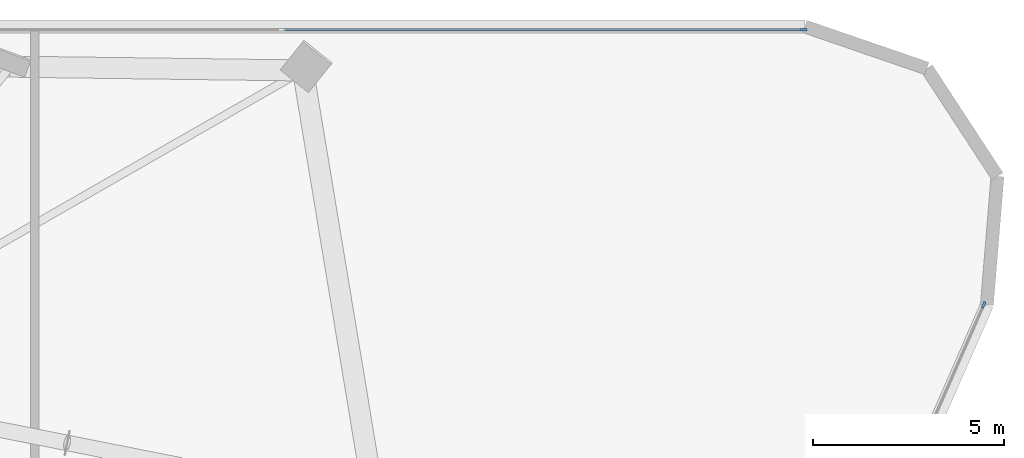
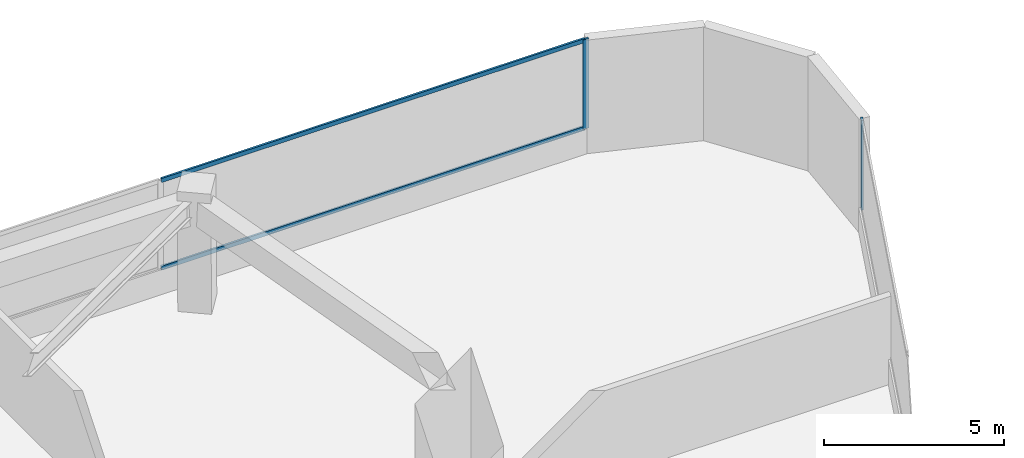
# One storey, part 14 of 20: 4 members, 2 elements without a shape of their own.
"""IFC4 building model written with IfcOpenShell, lengths in metres."""

from ifc_helpers import new_model, si_unit, direction, frame, origin, origin_2d, place, context, subcontext, project, spatial, rectangle, extrude, material, layer, layer_set, material_profile, profile_set, type_object, element, aggregate, save


model = new_model("IFC4")

# Units and contexts
model_context = context("Model", 3, precision=1e-05, world=origin(), true_north=direction((0.0, 1.0)))
body_context = subcontext(model_context, "Body", "Model", "MODEL_VIEW")
ifc_project = project(units=[si_unit("LENGTHUNIT", "METRE"), si_unit("AREAUNIT", "SQUARE_METRE"), si_unit("VOLUMEUNIT", "CUBIC_METRE"), si_unit("PLANEANGLEUNIT", "RADIAN"), si_unit("MASSUNIT", "GRAM", prefix="KILO")], contexts=[model_context])

# Site, building, storey
site_placement = place(None, origin())
site = spatial("IfcSite", under=ifc_project, at=site_placement, CompositionType="ELEMENT")
building_placement = place(site_placement, origin())
building = spatial("IfcBuilding", under=site, at=building_placement, Name="Talyreon Biosciences Tower", CompositionType="ELEMENT")
storey_placement = place(building_placement, frame((0.0, 0.0, 66.60009765625)))
storey = spatial("IfcBuildingStorey", under=building, at=storey_placement, Name="L17", CompositionType="ELEMENT", Elevation=66.60009765625)

# Curtain wall, member
ifc_material_1 = material(Name="Thermally broken aluminium and low-E glazing", Category="aluminium")
ifc_layer = layer(ifc_material_1, 0.195068359375)
ifc_layer_set = layer_set([ifc_layer], Name="Thermally broken aluminium and low-E glazing")
curtain_wall_type = type_object("IfcCurtainWallType", Name="CurtainWall_Zone1WetLab", PredefinedType="NOTDEFINED", material=ifc_layer_set)
curtain_wall_1_placement = place(storey_placement, origin())
curtain_wall_1 = element("IfcCurtainWall", 1, at=curtain_wall_1_placement, inside=storey, type_object=curtain_wall_type, Name="L17 Unitised Curtain Wall FCW-L17-04", PredefinedType="NOTDEFINED")
ifc_material_2 = material(Name="Anodised thermally broken aluminium", Category="aluminium")
ifc_material_profile_1 = material_profile(ifc_material_2, rectangle(XDim=0.06494140625, YDim=0.179931640625, at=origin_2d()), Name="ALUM MULLION 65x180")
ifc_profile_set_1 = profile_set([ifc_material_profile_1], Name="Anodised thermally broken aluminium")
member_type_1 = type_object("IfcMemberType", Name="CWMullion_65x180", PredefinedType="MULLION", material=ifc_profile_set_1)
member_1_placement = place(storey_placement, frame((93.3173828125, 91.007080078125, 0.809814453125), z_axis=(0.0, 0.0, 1.0), x_axis=(0.0, 1.0, 0.0)))
member_1 = element("IfcMember", 2, at=member_1_placement, type_object=member_type_1, Name="CW2 mullion 5", PredefinedType="MULLION", context=body_context, shape_type="SweptSolid", body=[
    extrude(rectangle(XDim=0.06494140625, YDim=0.179931640625, at=origin_2d()), origin(), (0.0, 0.0, 1.0), 3.0400390625),
])

curtain_wall_2_placement = place(storey_placement, origin())
curtain_wall_2 = element("IfcCurtainWall", 3, at=curtain_wall_2_placement, inside=storey, type_object=curtain_wall_type, Name="L17 Unitised Curtain Wall FCW-L17-08", PredefinedType="NOTDEFINED")
member_2_placement = place(storey_placement, frame((98.027587890625, 83.804931640625, 0.809814453125), z_axis=(0.0, 0.0, 1.0), x_axis=(0.916151953082, -0.400831135099, 0.0)))
member_2 = element("IfcMember", 4, at=member_2_placement, type_object=member_type_1, Name="CW2 mullion 1", PredefinedType="MULLION", context=body_context, shape_type="SweptSolid", body=[
    extrude(rectangle(XDim=0.06494140625, YDim=0.179931640625, at=origin_2d()), origin(), (0.0, 0.0, 1.0), 3.0400390625),
])
aggregate(curtain_wall_2, [member_2])

# Member
ifc_material_profile_2 = material_profile(ifc_material_2, rectangle(XDim=0.06494140625, YDim=0.139892578125, at=origin_2d()), Name="ALUM TRANSOM 65x140")
ifc_profile_set_2 = profile_set([ifc_material_profile_2], Name="Anodised thermally broken aluminium")
member_type_2 = type_object("IfcMemberType", Name="CWTransom_65x140", PredefinedType="USERDEFINED", material=ifc_profile_set_2)
member_3_placement = place(storey_placement, frame((79.70751953125, 91.007080078125, 0.84228515625), z_axis=(1.0, 0.0, 0.0), x_axis=(0.0, 1.0, 0.0)))
member_3 = element("IfcMember", 5, at=member_3_placement, type_object=member_type_2, Name="CW2 transom 4.1", ObjectType="TRANSOM", PredefinedType="USERDEFINED", context=body_context, shape_type="SweptSolid", body=[
    extrude(rectangle(XDim=0.06494140625, YDim=0.139892578125, at=origin_2d()), origin(), (0.0, 0.0, 1.0), 13.577392578125),
])

member_4_placement = place(storey_placement, frame((79.70751953125, 91.007080078125, 3.8173828125), z_axis=(1.0, 0.0, 0.0), x_axis=(0.0, 1.0, 0.0)))
member_4 = element("IfcMember", 6, at=member_4_placement, type_object=member_type_2, Name="CW2 transom 4.2", ObjectType="TRANSOM", PredefinedType="USERDEFINED", context=body_context, shape_type="SweptSolid", body=[
    extrude(rectangle(XDim=0.06494140625, YDim=0.139892578125, at=origin_2d()), origin(), (0.0, 0.0, 1.0), 13.577392578125),
])

aggregate(curtain_wall_1, [member_1, member_3, member_4])

save(model, "model.ifc")
